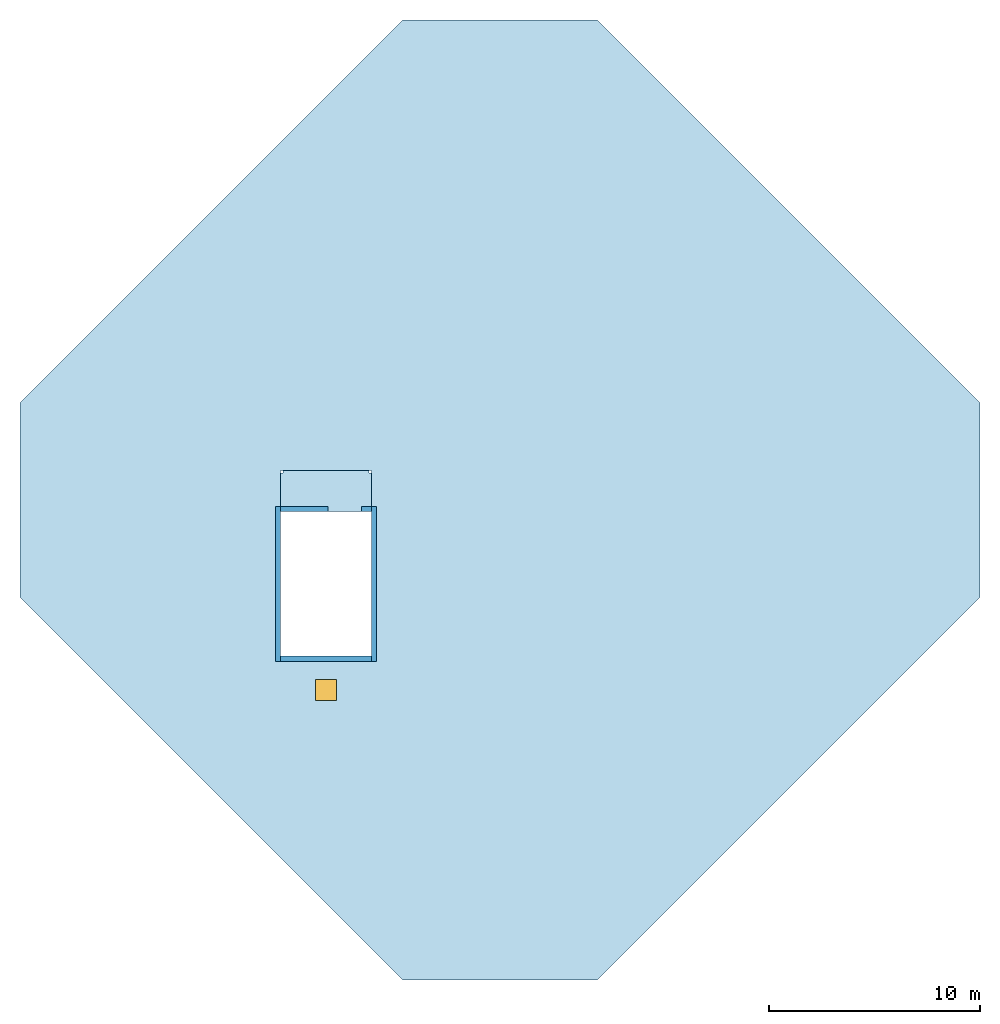
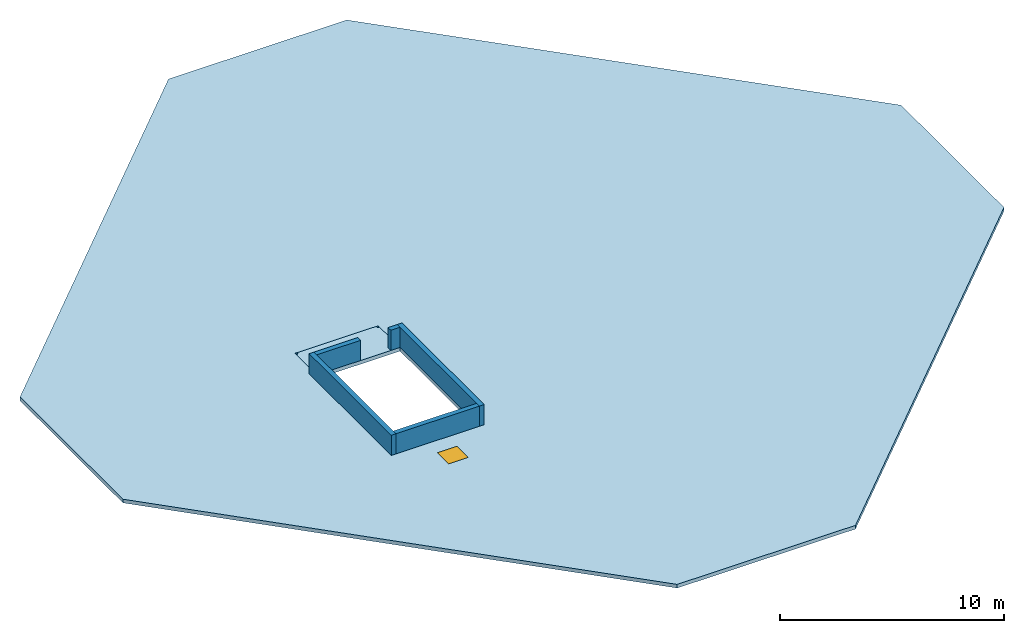
# One storey: 5 walls, 2 slabs, 1 door, 1 opening.
"""IFC4 building model written with IfcOpenShell, lengths in metres."""

from ifc_helpers import new_model, si_unit, direction, frame, frame_2d, origin, origin_2d, place, context, subcontext, project, spatial, polyline, rectangle, outline, extrude, material, layer, layer_set, type_object, element, fill, save


model = new_model("IFC4")

# Units and contexts
model_context = context("Model", 3, precision=1e-05, world=origin(), true_north=direction((0.0, 1.0)))
body_context = subcontext(model_context, "Body", "Model", "MODEL_VIEW")
ifc_project = project(units=[si_unit("LENGTHUNIT", "METRE"), si_unit("AREAUNIT", "SQUARE_METRE"), si_unit("VOLUMEUNIT", "CUBIC_METRE"), si_unit("PLANEANGLEUNIT", "RADIAN"), si_unit("MASSUNIT", "GRAM", prefix="KILO")], contexts=[model_context])

# Site, building, storey
site_placement = place(None, origin())
site = spatial("IfcSite", under=ifc_project, at=site_placement, CompositionType="ELEMENT")
building_placement = place(site_placement, origin())
building = spatial("IfcBuilding", under=site, at=building_placement, Name="Chuquiago Exchange Tower", CompositionType="ELEMENT")
storey_placement = place(building_placement, frame((0.0, 0.0, 312.0)))
storey = spatial("IfcBuildingStorey", under=building, at=storey_placement, Name="ROOF", CompositionType="ELEMENT", Elevation=312.0)

# Slab, opening, door
ifc_material_1 = material(Name="Concrete C30/37", Category="concrete")
ifc_layer_1 = layer(ifc_material_1, 0.199951171875)
ifc_layer_set_1 = layer_set([ifc_layer_1], Name="RS1 roof slab 200")
slab_type_1 = type_object("IfcSlabType", Name="RS1 roof slab 200", PredefinedType="ROOF", material=ifc_layer_set_1)
slab_1_placement = place(storey_placement, frame((0.0, 0.0, -0.199951171875)))
slab_1 = element("IfcSlab", 1, at=slab_1_placement, inside=storey, type_object=slab_type_1, Name="Main roof, maintenance access only", PredefinedType="ROOF", context=body_context, shape_type="SweptSolid", body=[
    extrude(outline(polyline([(17.896484375, -0.25), (-0.25, 17.896484375), (-0.25, 27.103515625), (17.896484375, 45.25), (27.103515625, 45.25), (45.25, 27.103515625), (45.25, 17.896484375), (27.103515625, -0.25), (17.896484375, -0.25)]), holes=[polyline([(16.39990234375, 15.10009765625), (12.10009765625, 15.10009765625), (12.10009765625, 23.89990234375), (16.39990234375, 23.89990234375), (16.39990234375, 15.10009765625)])]), origin(), (0.0, 0.0, 1.0), 0.199951171875),
])
opening_placement = place(slab_1_placement, frame((14.25, 13.5, 0.0)))
opening = element("IfcOpeningElement", 2, at=opening_placement, cuts=slab_1, Name="Opening RH1", PredefinedType="OPENING", context=body_context, shape_type="SweptSolid", body=[
    extrude(rectangle(XDim=1.0, YDim=1.0, at=origin_2d()), origin(), (0.0, 0.0, 1.0), 0.199951171875),
])
ifc_material_2 = material(Name="Aluminium hatch", Category="aluminium")
door_type = type_object("IfcDoorType", Name="RH1 roof hatch 1000x1000", OperationType="SINGLE_SWING_LEFT", PredefinedType="TRAPDOOR", material=ifc_material_2)
door_placement = place(opening_placement, frame((0.0, 0.0, 0.14990234375)))
door = element("IfcDoor", 3, at=door_placement, inside=storey, type_object=door_type, Name="Main roof access hatch, maintenance only", OperationType="SINGLE_SWING_LEFT", OverallHeight=1.0, OverallWidth=1.0, PredefinedType="TRAPDOOR", context=body_context, shape_type="SweptSolid", body=[
    extrude(rectangle(XDim=1.0, YDim=1.0, at=origin_2d()), origin(), (0.0, 0.0, 1.0), 0.050048828125),
])
fill(opening, door)

# Slab
ifc_material_3 = material(Name="Concrete C30/37, precast", Category="concrete")
ifc_layer_2 = layer(ifc_material_3, 0.199951171875)
ifc_layer_set_2 = layer_set([ifc_layer_2], Name="ST-L landing 200")
slab_type_2 = type_object("IfcSlabType", Name="ST-L landing 200", PredefinedType="LANDING", material=ifc_layer_set_2)
slab_2_placement = place(storey_placement, frame((0.0, 0.0, -0.199951171875)))
element("IfcSlab", 4, at=slab_2_placement, inside=storey, type_object=slab_type_2, Name="Stair ST1 top landing ROOF", PredefinedType="LANDING", context=body_context, shape_type="SweptSolid", body=[
    extrude(outline(polyline([(12.208251953125, 23.89990234375), (16.291748046875, 23.89990234375), (16.291748046875, 23.77783203125), (16.39990234375, 23.77783203125), (16.39990234375, 21.949951171875), (12.10009765625, 21.949951171875), (12.10009765625, 23.77783203125), (12.208251953125, 23.77783203125), (12.208251953125, 23.89990234375)])), origin(), (0.0, 0.0, 1.0), 0.199951171875),
])

# Walls
ifc_material_4 = material(Name="Concrete C30/37", Category="concrete")
ifc_layer_3 = layer(ifc_material_4, 0.25)
ifc_layer_set_3 = layer_set([ifc_layer_3], Name="W7 parapet 250")
wall_type = type_object("IfcWallType", Name="W7 parapet 250", PredefinedType="PARAPET", material=ifc_layer_set_3)
for number, where, z_axis, x_axis, name in (
    (5, (11.97509765625, 14.85009765625, 0.0), (0.0, 0.0, 1.0), (0.0, 1.0, 0.0), "Stair ST1 roof opening parapet"),
    (6, (16.52490234375, 14.85009765625, 0.0), (0.0, 0.0, 1.0), (0.0, 1.0, 0.0), "Stair ST1 roof opening parapet"),
):
    element("IfcWall", number, at=place(storey_placement, frame(where, z_axis=z_axis, x_axis=x_axis)), inside=storey, type_object=wall_type, Name=name, PredefinedType="PARAPET", context=body_context, shape_type="SweptSolid", body=[
        extrude(rectangle(XDim=7.349853515625, YDim=0.25, at=frame_2d((3.6748046875, 0.0))), origin(), (0.0, 0.0, 1.0), 1.10009765625),
    ])
wall_1_placement = place(storey_placement, frame((12.10009765625, 14.97509765625, 0.0), z_axis=(0.0, 0.0, 1.0), x_axis=(1.0, 0.0, 0.0)))
element("IfcWall", 7, at=wall_1_placement, inside=storey, type_object=wall_type, Name="Stair ST1 roof opening parapet", PredefinedType="PARAPET", context=body_context, shape_type="SweptSolid", body=[
    extrude(rectangle(XDim=4.2998046875, YDim=0.25, at=frame_2d((2.14990234375, 0.0))), origin(), (0.0, 0.0, 1.0), 1.10009765625),
])
wall_2_placement = place(storey_placement, frame((12.10009765625, 22.074951171875, 0.0), z_axis=(0.0, 0.0, 1.0), x_axis=(1.0, 0.0, 0.0)))
element("IfcWall", 8, at=wall_2_placement, inside=storey, type_object=wall_type, Name="Stair ST1 roof opening parapet", PredefinedType="PARAPET", context=body_context, shape_type="SweptSolid", body=[
    extrude(rectangle(XDim=2.2548828125, YDim=0.25, at=frame_2d((1.12744140625, 0.0))), origin(), (0.0, 0.0, 1.0), 1.10009765625),
])
wall_3_placement = place(storey_placement, frame((15.925048828125, 22.074951171875, 0.0), z_axis=(0.0, 0.0, 1.0), x_axis=(1.0, 0.0, 0.0)))
element("IfcWall", 9, at=wall_3_placement, inside=storey, type_object=wall_type, Name="Stair ST1 roof opening parapet", PredefinedType="PARAPET", context=body_context, shape_type="SweptSolid", body=[
    extrude(rectangle(XDim=0.474853515625, YDim=0.25, at=frame_2d((0.2373046875, 0.0))), origin(), (0.0, 0.0, 1.0), 1.10009765625),
])

save(model, "model.ifc")
